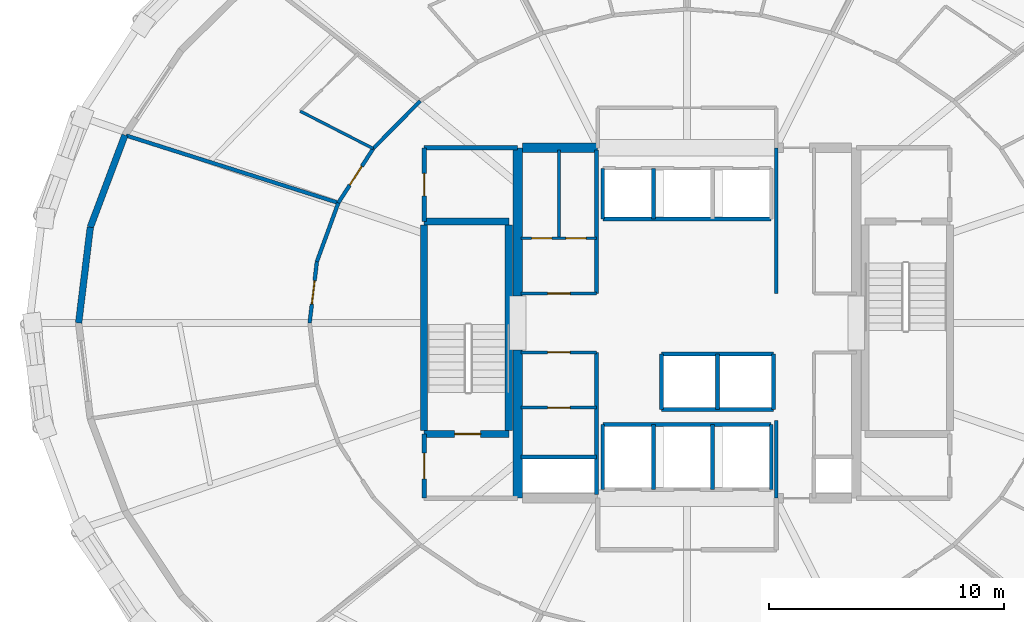
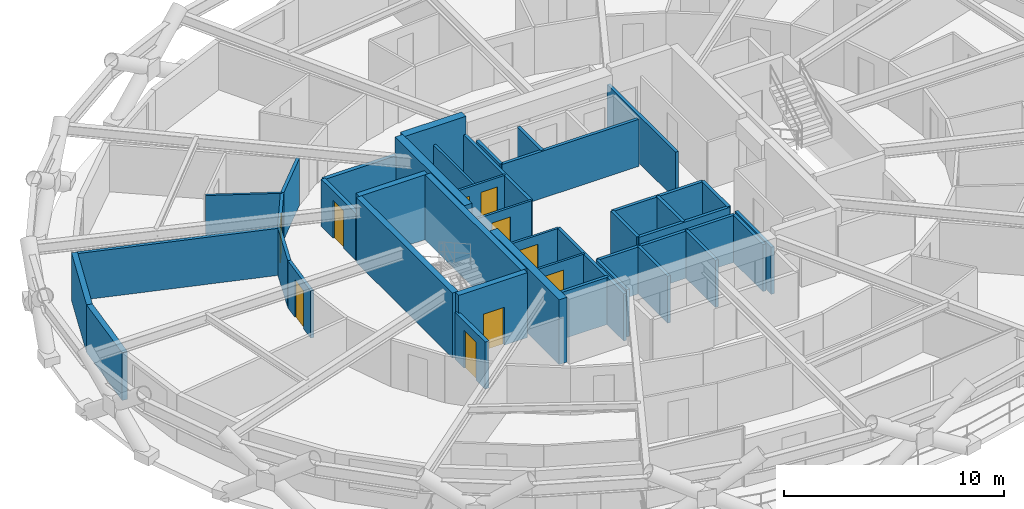
# One storey, part 8 of 13: 41 walls, 10 doors, 10 openings.
"""IFC4 building model written with IfcOpenShell, lengths in metres."""

from ifc_helpers import new_model, si_unit, direction, frame, frame_2d, origin, place, context, subcontext, project, spatial, rectangle, extrude, material, layer, layer_set, type_object, element, fill, save


model = new_model("IFC4")

# Units and contexts
model_context = context("Model", 3, precision=1e-05, world=origin(), true_north=direction((0.0, 1.0)))
body_context = subcontext(model_context, "Body", "Model", "MODEL_VIEW")
ifc_project = project(units=[si_unit("LENGTHUNIT", "METRE"), si_unit("AREAUNIT", "SQUARE_METRE"), si_unit("VOLUMEUNIT", "CUBIC_METRE"), si_unit("PLANEANGLEUNIT", "RADIAN"), si_unit("MASSUNIT", "GRAM", prefix="KILO")], contexts=[model_context])

# Site, building, storey
site_placement = place(None, origin())
site = spatial("IfcSite", under=ifc_project, at=site_placement, CompositionType="ELEMENT")
building_placement = place(site_placement, origin())
building = spatial("IfcBuilding", under=site, at=building_placement, Name="Veldorina Hangang Commons", CompositionType="ELEMENT")
storey_placement = place(building_placement, frame((0.0, 0.0, 37.60009765625)))
storey = spatial("IfcBuildingStorey", under=building, at=storey_placement, Name="L08", CompositionType="ELEMENT", Elevation=37.60009765625)

# Walls
ifc_material_1 = material(Name="Concrete C70/85", Category="concrete")
ifc_layer_1 = layer(ifc_material_1, 0.39990234375)
ifc_layer_set_1 = layer_set([ifc_layer_1], Name="Concrete C70/85")
wall_type_1 = type_object("IfcWallType", Name="CW-RC400-C70", PredefinedType="SHEAR", material=ifc_layer_set_1)
for number, where, z_axis, x_axis, name in (
    (1, (24.800048828125, 16.550048828125, 0.0), (0.0, 0.0, 1.0), (0.0, 1.0, 0.0), "L08 W south core shear wall"),
    (2, (24.800048828125, 25.14990234375, 0.0), (0.0, 0.0, 1.0), (0.0, 1.0, 0.0), "L08 W north core shear wall"),
):
    element("IfcWall", number, at=place(storey_placement, frame(where, z_axis=z_axis, x_axis=x_axis)), inside=storey, type_object=wall_type_1, Name=name, PredefinedType="SHEAR", context=body_context, shape_type="SweptSolid", body=[
        extrude(rectangle(XDim=6.300048828125, YDim=0.39990234375, at=frame_2d((3.14990234375, 0.0))), origin(), (0.0, 0.0, 1.0), 3.599853515625),
    ])
wall_1_placement = place(storey_placement, frame((25.0, 31.449951171875, 0.0), z_axis=(0.0, 0.0, 1.0), x_axis=(1.0, 0.0, 0.0)))
element("IfcWall", 3, at=wall_1_placement, inside=storey, type_object=wall_type_1, Name="L08 north-west core shear wall", PredefinedType="SHEAR", context=body_context, shape_type="SweptSolid", body=[
    extrude(rectangle(XDim=3.199951171875, YDim=0.39990234375, at=frame_2d((1.60009765625, 0.0))), origin(), (0.0, 0.0, 1.0), 3.599853515625),
])
ifc_material_2 = material(Name="Stone Roman Travertine", Category="masonry")
ifc_layer_2 = layer(ifc_material_2, 0.280029296875)
ifc_layer_set_2 = layer_set([ifc_layer_2], Name="Stone Roman Travertine")
wall_type_2 = type_object("IfcWallType", Name="EW-TRAV-280", PredefinedType="STANDARD", material=ifc_layer_set_2)
wall_2_placement = place(storey_placement, frame((8.095703125, 31.988037109375, 0.0), z_axis=(0.0, 0.0, 1.0), x_axis=(-0.351961107614, -0.936014625274, 0.0)))
element("IfcWall", 4, at=wall_2_placement, inside=storey, type_object=wall_type_2, Name="L08 travertine facade wall 14", PredefinedType="STANDARD", context=body_context, shape_type="SweptSolid", body=[
    extrude(rectangle(XDim=4.183349609375, YDim=0.280029296875, at=frame_2d((2.091796875, 0.0))), origin(), (0.0, 0.0, 1.0), 2.64990234375),
])
wall_3_placement = place(storey_placement, frame((6.623291015625, 28.072265625, 0.0), z_axis=(0.0, 0.0, 1.0), x_axis=(-0.121163069923, -0.99263261607, 0.0)))
element("IfcWall", 5, at=wall_3_placement, inside=storey, type_object=wall_type_2, Name="L08 travertine facade wall 15", PredefinedType="STANDARD", context=body_context, shape_type="SweptSolid", body=[
    extrude(rectangle(XDim=4.1025390625, YDim=0.280029296875, at=frame_2d((2.05126953125, 0.0))), origin(), (0.0, 0.0, 1.0), 2.64990234375),
])
ifc_material_3 = material(Name="Concrete C50/60", Category="concrete")
ifc_layer_3 = layer(ifc_material_3, 0.300048828125)
ifc_layer_set_3 = layer_set([ifc_layer_3], Name="Concrete C50/60")
wall_type_3 = type_object("IfcWallType", Name="SW-STAIR-300", PredefinedType="SHEAR", material=ifc_layer_set_3)
for number, where, z_axis, x_axis, name in (
    (6, (20.820068359375, 19.429931640625, 0.0), (0.0, 0.0, 1.0), (0.0, 1.0, 0.0), "L08 ST1 outer stair shear wall"),
    (7, (24.419921875, 19.429931640625, 0.0), (0.0, 0.0, 1.0), (0.0, 1.0, 0.0), "L08 ST1 inner stair shear wall"),
):
    element("IfcWall", number, at=place(storey_placement, frame(where, z_axis=z_axis, x_axis=x_axis)), inside=storey, type_object=wall_type_3, Name=name, PredefinedType="SHEAR", context=body_context, shape_type="SweptSolid", body=[
        extrude(rectangle(XDim=8.739990234375, YDim=0.300048828125, at=frame_2d((4.3701171875, 0.0))), origin(), (0.0, 0.0, 1.0), 3.599853515625),
    ])

# Wall, opening, door
wall_4_placement = place(storey_placement, frame((20.820068359375, 19.280029296875, 0.0), z_axis=(0.0, 0.0, 1.0), x_axis=(1.0, 0.0, 0.0)))
wall_4 = element("IfcWall", 8, at=wall_4_placement, inside=storey, type_object=wall_type_3, Name="L08 ST1 south stair shear wall", PredefinedType="SHEAR", context=body_context, shape_type="SweptSolid", body=[
    extrude(rectangle(XDim=3.599853515625, YDim=0.300048828125, at=frame_2d((1.7998046875, 0.0))), origin(), (0.0, 0.0, 1.0), 3.599853515625),
])
opening_1_placement = place(wall_4_placement, frame((1.300048828125, 0.0, 0.0)))
opening_1 = element("IfcOpeningElement", 9, at=opening_1_placement, cuts=wall_4, Name="Opening D-08", PredefinedType="OPENING", context=body_context, shape_type="SweptSolid", body=[
    extrude(rectangle(XDim=1.10009765625, YDim=2.10009765625, at=frame_2d((0.550048828125, 1.050048828125))), frame((0.0, 0.16015625, 0.0), z_axis=(0.0, -1.0, 0.0), x_axis=(1.0, 0.0, 0.0)), (0.0, 0.0, 1.0), 0.320068359375),
])
ifc_material_4 = material(Name="Steel Fire-Rated Smoke Seal", Category="steel")
door_type_1 = type_object("IfcDoorType", Name="DR-FIRE-1100", OperationType="SINGLE_SWING_RIGHT", PredefinedType="DOOR", material=ifc_material_4)
door_1_placement = place(opening_1_placement, origin())
door_1 = element("IfcDoor", 10, at=door_1_placement, inside=storey, type_object=door_type_1, Name="L08 Special Escape Stair ST-1 door", OperationType="SINGLE_SWING_LEFT", OverallHeight=2.10009765625, OverallWidth=1.10009765625, PredefinedType="DOOR", context=body_context, shape_type="SweptSolid", body=[
    extrude(rectangle(XDim=1.10009765625, YDim=2.10009765625, at=frame_2d((0.550048828125, 1.050048828125))), frame((0.0, 0.02490234375, 0.0), z_axis=(0.0, -1.0, 0.0), x_axis=(1.0, 0.0, 0.0)), (0.0, 0.0, 1.0), 0.050048828125),
])
fill(opening_1, door_1)

# Walls
wall_5_placement = place(storey_placement, frame((20.820068359375, 28.320068359375, 0.0), z_axis=(0.0, 0.0, 1.0), x_axis=(1.0, 0.0, 0.0)))
element("IfcWall", 11, at=wall_5_placement, inside=storey, type_object=wall_type_3, Name="L08 ST1 north stair shear wall", PredefinedType="SHEAR", context=body_context, shape_type="SweptSolid", body=[
    extrude(rectangle(XDim=3.599853515625, YDim=0.300048828125, at=frame_2d((1.7998046875, 0.0))), origin(), (0.0, 0.0, 1.0), 3.599853515625),
])
ifc_material_5 = material(Name="Gypsum Fire-Rated Twin Stud Wall", Category="gypsum")
ifc_layer_4 = layer(ifc_material_5, 0.159912109375)
ifc_layer_set_4 = layer_set([ifc_layer_4], Name="Gypsum Fire-Rated Twin Stud Wall")
wall_type_4 = type_object("IfcWallType", Name="WL-FIRE-160", PredefinedType="SOLIDWALL", material=ifc_layer_set_4)
wall_6_placement = place(storey_placement, frame((35.800048828125, 16.550048828125, 0.0), z_axis=(0.0, 0.0, 1.0), x_axis=(0.0, 1.0, 0.0)))
element("IfcWall", 12, at=wall_6_placement, inside=storey, type_object=wall_type_4, Name="L08 Lift passage SW wall 009", PredefinedType="SOLIDWALL", context=body_context, shape_type="SweptSolid", body=[
    extrude(rectangle(XDim=3.300048828125, YDim=0.159912109375, at=frame_2d((1.64990234375, 0.0))), origin(), (0.0, 0.0, 1.0), 2.60986328125),
])
wall_7_placement = place(storey_placement, frame((35.800048828125, 25.25, 0.0), z_axis=(0.0, 0.0, 1.0), x_axis=(0.0, 1.0, 0.0)))
element("IfcWall", 13, at=wall_7_placement, inside=storey, type_object=wall_type_4, Name="L08 Lift passage NW wall 011", PredefinedType="SOLIDWALL", context=body_context, shape_type="SweptSolid", body=[
    extrude(rectangle(XDim=6.199951171875, YDim=0.159912109375, at=frame_2d((3.10009765625, 0.0))), origin(), (0.0, 0.0, 1.0), 2.60986328125),
])
wall_8_placement = place(storey_placement, frame((28.419921875, 28.419921875, 0.0), z_axis=(0.0, 0.0, 1.0), x_axis=(1.0, 0.0, 0.0)))
element("IfcWall", 14, at=wall_8_placement, inside=storey, type_object=wall_type_4, Name="L08 Low-bank rear shaft wall 016", PredefinedType="SOLIDWALL", context=body_context, shape_type="SweptSolid", body=[
    extrude(rectangle(XDim=7.16015625, YDim=0.159912109375, at=frame_2d((3.580078125, 0.0))), origin(), (0.0, 0.0, 1.0), 2.60986328125),
])
for number, where, z_axis, x_axis, name in (
    (15, (28.419921875, 28.419921875, 0.0), (0.0, 0.0, 1.0), (0.0, 1.0, 0.0), "L08 PL-L1 west shaft wall 017"),
    (16, (30.580078125, 28.419921875, 0.0), (0.0, 0.0, 1.0), (0.0, 1.0, 0.0), "L08 PL-L1 east shaft wall 018"),
):
    element("IfcWall", number, at=place(storey_placement, frame(where, z_axis=z_axis, x_axis=x_axis)), inside=storey, type_object=wall_type_4, Name=name, PredefinedType="SOLIDWALL", context=body_context, shape_type="SweptSolid", body=[
        extrude(rectangle(XDim=2.16015625, YDim=0.159912109375, at=frame_2d((1.080078125, 0.0))), origin(), (0.0, 0.0, 1.0), 2.60986328125),
    ])
for number, where, z_axis, x_axis, name in (
    (17, (30.919921875, 22.679931640625, 0.0), (0.0, 0.0, 1.0), (1.0, 0.0, 0.0), "L08 Shuttle-high front shaft wall 021"),
    (18, (30.919921875, 20.320068359375, 0.0), (0.0, 0.0, 1.0), (1.0, 0.0, 0.0), "L08 Shuttle-high rear shaft wall 022"),
):
    element("IfcWall", number, at=place(storey_placement, frame(where, z_axis=z_axis, x_axis=x_axis)), inside=storey, type_object=wall_type_4, Name=name, PredefinedType="SOLIDWALL", context=body_context, shape_type="SweptSolid", body=[
        extrude(rectangle(XDim=4.760009765625, YDim=0.159912109375, at=frame_2d((2.3798828125, 0.0))), origin(), (0.0, 0.0, 1.0), 2.60986328125),
    ])
for number, where, z_axis, x_axis, name in (
    (19, (30.919921875, 20.320068359375, 0.0), (0.0, 0.0, 1.0), (0.0, 1.0, 0.0), "L08 SL-1 west shaft wall 023"),
    (20, (33.300048828125, 20.320068359375, 0.0), (0.0, 0.0, 1.0), (0.0, 1.0, 0.0), "L08 SL-1 east shaft wall 024"),
    (21, (35.679931640625, 20.320068359375, 0.0), (0.0, 0.0, 1.0), (0.0, 1.0, 0.0), "L08 SL-2 east shaft wall 025"),
):
    element("IfcWall", number, at=place(storey_placement, frame(where, z_axis=z_axis, x_axis=x_axis)), inside=storey, type_object=wall_type_4, Name=name, PredefinedType="SOLIDWALL", context=body_context, shape_type="SweptSolid", body=[
        extrude(rectangle(XDim=2.35986328125, YDim=0.159912109375, at=frame_2d((1.179931640625, 0.0))), origin(), (0.0, 0.0, 1.0), 2.60986328125),
    ])
wall_9_placement = place(storey_placement, frame((28.419921875, 19.679931640625, 0.0), z_axis=(0.0, 0.0, 1.0), x_axis=(1.0, 0.0, 0.0)))
element("IfcWall", 22, at=wall_9_placement, inside=storey, type_object=wall_type_4, Name="L08 Emergency rear shaft wall 027", PredefinedType="SOLIDWALL", context=body_context, shape_type="SweptSolid", body=[
    extrude(rectangle(XDim=7.16015625, YDim=0.159912109375, at=frame_2d((3.580078125, 0.0))), origin(), (0.0, 0.0, 1.0), 2.60986328125),
])
for number, where, z_axis, x_axis, name in (
    (23, (28.419921875, 16.919921875, 0.0), (0.0, 0.0, 1.0), (0.0, 1.0, 0.0), "L08 FFL-1 west shaft wall 028"),
    (24, (30.580078125, 16.919921875, 0.0), (0.0, 0.0, 1.0), (0.0, 1.0, 0.0), "L08 FFL-1 east shaft wall 029"),
    (25, (33.080078125, 16.919921875, 0.0), (0.0, 0.0, 1.0), (0.0, 1.0, 0.0), "L08 FFL-2 east shaft wall 030"),
    (26, (35.580078125, 16.919921875, 0.0), (0.0, 0.0, 1.0), (0.0, 1.0, 0.0), "L08 EVL-1 east shaft wall 031"),
):
    element("IfcWall", number, at=place(storey_placement, frame(where, z_axis=z_axis, x_axis=x_axis)), inside=storey, type_object=wall_type_4, Name=name, PredefinedType="SOLIDWALL", context=body_context, shape_type="SweptSolid", body=[
        extrude(rectangle(XDim=2.760009765625, YDim=0.159912109375, at=frame_2d((1.3798828125, 0.0))), origin(), (0.0, 0.0, 1.0), 2.60986328125),
    ])
wall_10_placement = place(storey_placement, frame((24.949951171875, 18.300048828125, 0.0), z_axis=(0.0, 0.0, 1.0), x_axis=(1.0, 0.0, 0.0)))
element("IfcWall", 27, at=wall_10_placement, inside=storey, type_object=wall_type_4, Name="L08 Electrical riser wall 035", PredefinedType="SOLIDWALL", context=body_context, shape_type="SweptSolid", body=[
    extrude(rectangle(XDim=3.199951171875, YDim=0.159912109375, at=frame_2d((1.60009765625, 0.0))), origin(), (0.0, 0.0, 1.0), 2.60986328125),
])
wall_11_placement = place(storey_placement, frame((28.14990234375, 16.699951171875, 0.0), z_axis=(0.0, 0.0, 1.0), x_axis=(0.0, 1.0, 0.0)))
element("IfcWall", 28, at=wall_11_placement, inside=storey, type_object=wall_type_4, Name="L08 SW core inner wall 036", PredefinedType="SOLIDWALL", context=body_context, shape_type="SweptSolid", body=[
    extrude(rectangle(XDim=6.050048828125, YDim=0.159912109375, at=frame_2d((3.02490234375, 0.0))), origin(), (0.0, 0.0, 1.0), 2.60986328125),
])
wall_12_placement = place(storey_placement, frame((28.14990234375, 25.25, 0.0), z_axis=(0.0, 0.0, 1.0), x_axis=(0.0, 1.0, 0.0)))
element("IfcWall", 29, at=wall_12_placement, inside=storey, type_object=wall_type_4, Name="L08 NW core inner wall 038", PredefinedType="SOLIDWALL", context=body_context, shape_type="SweptSolid", body=[
    extrude(rectangle(XDim=6.10009765625, YDim=0.159912109375, at=frame_2d((3.050048828125, 0.0))), origin(), (0.0, 0.0, 1.0), 2.60986328125),
])
wall_13_placement = place(storey_placement, frame((20.65087890625, 33.43994140625, 0.0), z_axis=(0.0, 0.0, 1.0), x_axis=(-0.702366174226, -0.711815816981, 0.0)))
element("IfcWall", 30, at=wall_13_placement, inside=storey, type_object=wall_type_4, Name="L08 Corridor outer wall 12 060", PredefinedType="SOLIDWALL", context=body_context, shape_type="SweptSolid", body=[
    extrude(rectangle(XDim=2.842041015625, YDim=0.159912109375, at=frame_2d((1.4208984375, 0.0))), origin(), (0.0, 0.0, 1.0), 2.60986328125),
])

# Wall, opening, door
wall_14_placement = place(storey_placement, frame((18.65478515625, 31.4169921875, 0.0), z_axis=(0.0, 0.0, 1.0), x_axis=(-0.540595670038, -0.841282545603, 0.0)))
wall_14 = element("IfcWall", 31, at=wall_14_placement, inside=storey, type_object=wall_type_4, Name="L08 Corridor outer wall 13 061", PredefinedType="SOLIDWALL", context=body_context, shape_type="SweptSolid", body=[
    extrude(rectangle(XDim=2.74365234375, YDim=0.159912109375, at=frame_2d((1.371826171875, 0.0))), origin(), (0.0, 0.0, 1.0), 2.60986328125),
])
opening_2_placement = place(wall_14_placement, frame((0.896728515625, 0.0, 0.0)))
opening_2 = element("IfcOpeningElement", 32, at=opening_2_placement, cuts=wall_14, Name="Opening D-03", PredefinedType="OPENING", context=body_context, shape_type="SweptSolid", body=[
    extrude(rectangle(XDim=0.949951171875, YDim=2.10009765625, at=frame_2d((0.47509765625, 1.050048828125))), frame((0.0, 0.08984375, 0.0), z_axis=(0.0, -1.0, 0.0), x_axis=(1.0, 0.0, 0.0)), (0.0, 0.0, 1.0), 0.179931640625),
])
ifc_material_6 = material(Name="Timber Fire-Rated Entrance Core", Category="wood")
door_type_2 = type_object("IfcDoorType", Name="DR-UNIT-950", OperationType="SINGLE_SWING_RIGHT", PredefinedType="DOOR", material=ifc_material_6)
door_2_placement = place(opening_2_placement, origin())
door_2 = element("IfcDoor", 33, at=door_2_placement, inside=storey, type_object=door_type_2, Name="L08 Studio 11 entrance door 041", OperationType="SINGLE_SWING_LEFT", OverallHeight=2.10009765625, OverallWidth=0.949951171875, PredefinedType="DOOR", context=body_context, shape_type="SweptSolid", body=[
    extrude(rectangle(XDim=0.949951171875, YDim=2.10009765625, at=frame_2d((0.47509765625, 1.050048828125))), frame((0.0, 0.02490234375, 0.0), z_axis=(0.0, -1.0, 0.0), x_axis=(1.0, 0.0, 0.0)), (0.0, 0.0, 1.0), 0.050048828125),
])
fill(opening_2, door_2)

# Wall
wall_15_placement = place(storey_placement, frame((17.171630859375, 29.10888671875, 0.0), z_axis=(0.0, 0.0, 1.0), x_axis=(-0.342617982381, -0.939474809747, 0.0)))
element("IfcWall", 34, at=wall_15_placement, inside=storey, type_object=wall_type_4, Name="L08 Corridor outer wall 14 062", PredefinedType="SOLIDWALL", context=body_context, shape_type="SweptSolid", body=[
    extrude(rectangle(XDim=2.665771484375, YDim=0.159912109375, at=frame_2d((1.3330078125, 0.0))), origin(), (0.0, 0.0, 1.0), 2.60986328125),
])

# Wall, opening, door
wall_16_placement = place(storey_placement, frame((16.25830078125, 26.6044921875, 0.0), z_axis=(0.0, 0.0, 1.0), x_axis=(-0.117570353762, -0.993064555765, 0.0)))
wall_16 = element("IfcWall", 35, at=wall_16_placement, inside=storey, type_object=wall_type_4, Name="L08 Corridor outer wall 15 063", PredefinedType="SOLIDWALL", context=body_context, shape_type="SweptSolid", body=[
    extrude(rectangle(XDim=2.622802734375, YDim=0.159912109375, at=frame_2d((1.3115234375, 0.0))), origin(), (0.0, 0.0, 1.0), 2.60986328125),
])
opening_3_placement = place(wall_16_placement, frame((0.811279296875, 0.0, 0.0)))
opening_3 = element("IfcOpeningElement", 36, at=opening_3_placement, cuts=wall_16, Name="Opening D-05", PredefinedType="OPENING", context=body_context, shape_type="SweptSolid", body=[
    extrude(rectangle(XDim=1.0, YDim=2.10009765625, at=frame_2d((0.5, 1.050048828125))), frame((0.0, 0.08984375, 0.0), z_axis=(0.0, -1.0, 0.0), x_axis=(1.0, 0.0, 0.0)), (0.0, 0.0, 1.0), 0.179931640625),
])
ifc_material_7 = material(Name="Timber Solid Core Acoustic", Category="wood")
door_type_3 = type_object("IfcDoorType", Name="DR-INT-1000", OperationType="SINGLE_SWING_RIGHT", PredefinedType="DOOR", material=ifc_material_7)
door_3_placement = place(opening_3_placement, origin())
door_3 = element("IfcDoor", 37, at=door_3_placement, inside=storey, type_object=door_type_3, Name="L08 Floor Study Room 12 door 042", OperationType="SINGLE_SWING_RIGHT", OverallHeight=2.10009765625, OverallWidth=1.0, PredefinedType="DOOR", context=body_context, shape_type="SweptSolid", body=[
    extrude(rectangle(XDim=1.0, YDim=2.10009765625, at=frame_2d((0.5, 1.050048828125))), frame((0.0, 0.02490234375, 0.0), z_axis=(0.0, -1.0, 0.0), x_axis=(1.0, 0.0, 0.0)), (0.0, 0.0, 1.0), 0.050048828125),
])
fill(opening_3, door_3)

# Wall
wall_17_placement = place(storey_placement, frame((17.171630859375, 29.10888671875, 0.0), z_axis=(0.0, 0.0, 1.0), x_axis=(-0.953188788185, 0.30237581596, 0.0)))
element("IfcWall", 38, at=wall_17_placement, inside=storey, type_object=wall_type_4, Name="L08 Unit party wall 14 115", PredefinedType="SOLIDWALL", context=body_context, shape_type="SweptSolid", body=[
    extrude(rectangle(XDim=9.4716796875, YDim=0.159912109375, at=frame_2d((4.73583984375, 0.0))), origin(), (0.0, 0.0, 1.0), 2.60986328125),
])

# Wall, opening, door
ifc_material_8 = material(Name="Concrete Blockwork Fire Wall C30/37", Category="masonry")
ifc_layer_5 = layer(ifc_material_8, 0.199951171875)
ifc_layer_set_5 = layer_set([ifc_layer_5], Name="Concrete Blockwork Fire Wall C30/37")
wall_type_5 = type_object("IfcWallType", Name="WL-FIRE-200", PredefinedType="SOLIDWALL", material=ifc_layer_set_5)
wall_18_placement = place(storey_placement, frame((20.820068359375, 16.550048828125, 0.0), z_axis=(0.0, 0.0, 1.0), x_axis=(0.0, 1.0, 0.0)))
wall_18 = element("IfcWall", 39, at=wall_18_placement, inside=storey, type_object=wall_type_5, Name="L08 West vestibule outer wall 001", PredefinedType="SOLIDWALL", context=body_context, shape_type="SweptSolid", body=[
    extrude(rectangle(XDim=2.72998046875, YDim=0.199951171875, at=frame_2d((1.364990234375, 0.0))), origin(), (0.0, 0.0, 1.0), 2.60986328125),
])
opening_4_placement = place(wall_18_placement, frame((0.81494140625, 0.0, 0.0)))
opening_4 = element("IfcOpeningElement", 40, at=opening_4_placement, cuts=wall_18, Name="Opening D-08", PredefinedType="OPENING", context=body_context, shape_type="SweptSolid", body=[
    extrude(rectangle(XDim=1.10009765625, YDim=2.10009765625, at=frame_2d((0.550048828125, 1.050048828125))), frame((0.0, 0.10986328125, 0.0), z_axis=(0.0, -1.0, 0.0), x_axis=(1.0, 0.0, 0.0)), (0.0, 0.0, 1.0), 0.219970703125),
])
door_4_placement = place(opening_4_placement, origin())
door_4 = element("IfcDoor", 41, at=door_4_placement, inside=storey, type_object=door_type_1, Name="L08 West vestibule west door 001", OperationType="SINGLE_SWING_LEFT", OverallHeight=2.10009765625, OverallWidth=1.10009765625, PredefinedType="DOOR", context=body_context, shape_type="SweptSolid", body=[
    extrude(rectangle(XDim=1.10009765625, YDim=2.10009765625, at=frame_2d((0.550048828125, 1.050048828125))), frame((0.0, 0.02490234375, 0.0), z_axis=(0.0, -1.0, 0.0), x_axis=(1.0, 0.0, 0.0)), (0.0, 0.0, 1.0), 0.050048828125),
])
fill(opening_4, door_4)

wall_19_placement = place(storey_placement, frame((20.820068359375, 28.320068359375, 0.0), z_axis=(0.0, 0.0, 1.0), x_axis=(0.0, 1.0, 0.0)))
wall_19 = element("IfcWall", 42, at=wall_19_placement, inside=storey, type_object=wall_type_5, Name="L08 NW core room outer wall 005", PredefinedType="SOLIDWALL", context=body_context, shape_type="SweptSolid", body=[
    extrude(rectangle(XDim=3.1298828125, YDim=0.199951171875, at=frame_2d((1.56494140625, 0.0))), origin(), (0.0, 0.0, 1.0), 2.60986328125),
])
opening_5_placement = place(wall_19_placement, frame((1.090087890625, 0.0, 0.0)))
opening_5 = element("IfcOpeningElement", 43, at=opening_5_placement, cuts=wall_19, Name="Opening D-04", PredefinedType="OPENING", context=body_context, shape_type="SweptSolid", body=[
    extrude(rectangle(XDim=0.949951171875, YDim=2.10009765625, at=frame_2d((0.47509765625, 1.050048828125))), frame((0.0, 0.10986328125, 0.0), z_axis=(0.0, -1.0, 0.0), x_axis=(1.0, 0.0, 0.0)), (0.0, 0.0, 1.0), 0.219970703125),
])
ifc_material_9 = material(Name="Timber Accessible Flush Leaf", Category="wood")
door_type_4 = type_object("IfcDoorType", Name="DR-ACC-950", OperationType="SINGLE_SWING_LEFT", PredefinedType="DOOR", material=ifc_material_9)
door_5_placement = place(opening_5_placement, origin())
door_5 = element("IfcDoor", 44, at=door_5_placement, inside=storey, type_object=door_type_4, Name="L08 NW core WC door 003", OperationType="SINGLE_SWING_LEFT", OverallHeight=2.10009765625, OverallWidth=0.949951171875, PredefinedType="DOOR", context=body_context, shape_type="SweptSolid", body=[
    extrude(rectangle(XDim=0.949951171875, YDim=2.10009765625, at=frame_2d((0.47509765625, 1.050048828125))), frame((0.0, 0.02490234375, 0.0), z_axis=(0.0, -1.0, 0.0), x_axis=(1.0, 0.0, 0.0)), (0.0, 0.0, 1.0), 0.050048828125),
])
fill(opening_5, door_5)

# Wall
wall_20_placement = place(storey_placement, frame((20.820068359375, 31.449951171875, 0.0), z_axis=(0.0, 0.0, 1.0), x_axis=(1.0, 0.0, 0.0)))
element("IfcWall", 45, at=wall_20_placement, inside=storey, type_object=wall_type_5, Name="L08 NW core room north wall 006", PredefinedType="SOLIDWALL", context=body_context, shape_type="SweptSolid", body=[
    extrude(rectangle(XDim=3.97998046875, YDim=0.199951171875, at=frame_2d((1.989990234375, 0.0))), origin(), (0.0, 0.0, 1.0), 2.60986328125),
])

# Wall, opening, door
ifc_material_10 = material(Name="Gypsum Acoustic Stud Partition", Category="gypsum")
ifc_layer_6 = layer(ifc_material_10, 0.1201171875)
ifc_layer_set_6 = layer_set([ifc_layer_6], Name="Gypsum Acoustic Stud Partition")
wall_type_6 = type_object("IfcWallType", Name="WL-PART-120", PredefinedType="PARTITIONING", material=ifc_layer_set_6)
wall_21_placement = place(storey_placement, frame((24.949951171875, 25.25, 0.0), z_axis=(0.0, 0.0, 1.0), x_axis=(1.0, 0.0, 0.0)))
wall_21 = element("IfcWall", 46, at=wall_21_placement, inside=storey, type_object=wall_type_6, Name="L08 NW service south wall 039", PredefinedType="PARTITIONING", context=body_context, shape_type="SweptSolid", body=[
    extrude(rectangle(XDim=3.199951171875, YDim=0.1201171875, at=frame_2d((1.60009765625, 0.0))), origin(), (0.0, 0.0, 1.0), 2.60986328125),
])
opening_6_placement = place(wall_21_placement, frame((1.125, 0.0, 0.0)))
opening_6 = element("IfcOpeningElement", 47, at=opening_6_placement, cuts=wall_21, Name="Opening D-02", PredefinedType="OPENING", context=body_context, shape_type="SweptSolid", body=[
    extrude(rectangle(XDim=0.949951171875, YDim=2.10009765625, at=frame_2d((0.47509765625, 1.050048828125))), frame((0.0, 0.070068359375, 0.0), z_axis=(0.0, -1.0, 0.0), x_axis=(1.0, 0.0, 0.0)), (0.0, 0.0, 1.0), 0.14013671875),
])
door_type_5 = type_object("IfcDoorType", Name="DR-INT-950", OperationType="SINGLE_SWING_LEFT", PredefinedType="DOOR", material=ifc_material_7)
door_6_placement = place(opening_6_placement, origin())
door_6 = element("IfcDoor", 48, at=door_6_placement, inside=storey, type_object=door_type_5, Name="L08 Utility vestibule door 013", OperationType="SINGLE_SWING_LEFT", OverallHeight=2.10009765625, OverallWidth=0.949951171875, PredefinedType="DOOR", context=body_context, shape_type="SweptSolid", body=[
    extrude(rectangle(XDim=0.949951171875, YDim=2.10009765625, at=frame_2d((0.47509765625, 1.050048828125))), frame((0.0, 0.02490234375, 0.0), z_axis=(0.0, -1.0, 0.0), x_axis=(1.0, 0.0, 0.0)), (0.0, 0.0, 1.0), 0.050048828125),
])
fill(opening_6, door_6)

wall_22_placement = place(storey_placement, frame((24.949951171875, 22.75, 0.0), z_axis=(0.0, 0.0, 1.0), x_axis=(1.0, 0.0, 0.0)))
wall_22 = element("IfcWall", 49, at=wall_22_placement, inside=storey, type_object=wall_type_6, Name="L08 SW service north wall 040", PredefinedType="PARTITIONING", context=body_context, shape_type="SweptSolid", body=[
    extrude(rectangle(XDim=3.199951171875, YDim=0.1201171875, at=frame_2d((1.60009765625, 0.0))), origin(), (0.0, 0.0, 1.0), 2.60986328125),
])
opening_7_placement = place(wall_22_placement, frame((1.125, 0.0, 0.0)))
opening_7 = element("IfcOpeningElement", 50, at=opening_7_placement, cuts=wall_22, Name="Opening D-02", PredefinedType="OPENING", context=body_context, shape_type="SweptSolid", body=[
    extrude(rectangle(XDim=0.949951171875, YDim=2.10009765625, at=frame_2d((0.47509765625, 1.050048828125))), frame((0.0, 0.070068359375, 0.0), z_axis=(0.0, -1.0, 0.0), x_axis=(1.0, 0.0, 0.0)), (0.0, 0.0, 1.0), 0.14013671875),
])
door_7_placement = place(opening_7_placement, origin())
door_7 = element("IfcDoor", 51, at=door_7_placement, inside=storey, type_object=door_type_5, Name="L08 Recycling room door 016", OperationType="SINGLE_SWING_RIGHT", OverallHeight=2.10009765625, OverallWidth=0.949951171875, PredefinedType="DOOR", context=body_context, shape_type="SweptSolid", body=[
    extrude(rectangle(XDim=0.949951171875, YDim=2.10009765625, at=frame_2d((0.47509765625, 1.050048828125))), frame((0.0, 0.02490234375, 0.0), z_axis=(0.0, -1.0, 0.0), x_axis=(1.0, 0.0, 0.0)), (0.0, 0.0, 1.0), 0.050048828125),
])
fill(opening_7, door_7)

# Wall, openings, doors
wall_23_placement = place(storey_placement, frame((24.949951171875, 27.60009765625, 0.0), z_axis=(0.0, 0.0, 1.0), x_axis=(1.0, 0.0, 0.0)))
wall_23 = element("IfcWall", 52, at=wall_23_placement, inside=storey, type_object=wall_type_6, Name="L08 NW lower split 045", PredefinedType="PARTITIONING", context=body_context, shape_type="SweptSolid", body=[
    extrude(rectangle(XDim=3.199951171875, YDim=0.1201171875, at=frame_2d((1.60009765625, 0.0))), origin(), (0.0, 0.0, 1.0), 2.60986328125),
])
opening_8_placement = place(wall_23_placement, frame((0.43994140625, 0.0, 0.0)))
opening_8 = element("IfcOpeningElement", 53, at=opening_8_placement, cuts=wall_23, Name="Opening D-01", PredefinedType="OPENING", context=body_context, shape_type="SweptSolid", body=[
    extrude(rectangle(XDim=0.860107421875, YDim=2.10009765625, at=frame_2d((0.43017578125, 1.050048828125))), frame((0.0, 0.070068359375, 0.0), z_axis=(0.0, -1.0, 0.0), x_axis=(1.0, 0.0, 0.0)), (0.0, 0.0, 1.0), 0.14013671875),
])
opening_9_placement = place(wall_23_placement, frame((1.89990234375, 0.0, 0.0)))
opening_9 = element("IfcOpeningElement", 54, at=opening_9_placement, cuts=wall_23, Name="Opening D-01", PredefinedType="OPENING", context=body_context, shape_type="SweptSolid", body=[
    extrude(rectangle(XDim=0.860107421875, YDim=2.10009765625, at=frame_2d((0.43017578125, 1.050048828125))), frame((0.0, 0.070068359375, 0.0), z_axis=(0.0, -1.0, 0.0), x_axis=(1.0, 0.0, 0.0)), (0.0, 0.0, 1.0), 0.14013671875),
])
ifc_material_11 = material(Name="Timber Moisture-Resistant Core", Category="wood")
door_type_6 = type_object("IfcDoorType", Name="DR-WET-860", OperationType="SINGLE_SWING_LEFT", PredefinedType="DOOR", material=ifc_material_11)
door_8_placement = place(opening_8_placement, origin())
door_8 = element("IfcDoor", 55, at=door_8_placement, inside=storey, type_object=door_type_6, Name="L08 Store A door 014", OperationType="SINGLE_SWING_RIGHT", OverallHeight=2.10009765625, OverallWidth=0.860107421875, PredefinedType="DOOR", context=body_context, shape_type="SweptSolid", body=[
    extrude(rectangle(XDim=0.860107421875, YDim=2.10009765625, at=frame_2d((0.43017578125, 1.050048828125))), frame((0.0, 0.02490234375, 0.0), z_axis=(0.0, -1.0, 0.0), x_axis=(1.0, 0.0, 0.0)), (0.0, 0.0, 1.0), 0.050048828125),
])
fill(opening_8, door_8)
door_9_placement = place(opening_9_placement, origin())
door_9 = element("IfcDoor", 56, at=door_9_placement, inside=storey, type_object=door_type_6, Name="L08 Store B door 015", OperationType="SINGLE_SWING_LEFT", OverallHeight=2.10009765625, OverallWidth=0.860107421875, PredefinedType="DOOR", context=body_context, shape_type="SweptSolid", body=[
    extrude(rectangle(XDim=0.860107421875, YDim=2.10009765625, at=frame_2d((0.43017578125, 1.050048828125))), frame((0.0, 0.02490234375, 0.0), z_axis=(0.0, -1.0, 0.0), x_axis=(1.0, 0.0, 0.0)), (0.0, 0.0, 1.0), 0.050048828125),
])
fill(opening_9, door_9)

# Wall
wall_24_placement = place(storey_placement, frame((26.550048828125, 27.60009765625, 0.0), z_axis=(0.0, 0.0, 1.0), x_axis=(0.0, 1.0, 0.0)))
element("IfcWall", 57, at=wall_24_placement, inside=storey, type_object=wall_type_6, Name="L08 NW upper vertical split 046", PredefinedType="PARTITIONING", context=body_context, shape_type="SweptSolid", body=[
    extrude(rectangle(XDim=3.75, YDim=0.1201171875, at=frame_2d((1.875, 0.0))), origin(), (0.0, 0.0, 1.0), 2.60986328125),
])

# Wall, opening, door
wall_25_placement = place(storey_placement, frame((24.949951171875, 20.39990234375, 0.0), z_axis=(0.0, 0.0, 1.0), x_axis=(1.0, 0.0, 0.0)))
wall_25 = element("IfcWall", 58, at=wall_25_placement, inside=storey, type_object=wall_type_6, Name="L08 SW horizontal split 047", PredefinedType="PARTITIONING", context=body_context, shape_type="SweptSolid", body=[
    extrude(rectangle(XDim=3.199951171875, YDim=0.1201171875, at=frame_2d((1.60009765625, 0.0))), origin(), (0.0, 0.0, 1.0), 2.60986328125),
])
opening_10_placement = place(wall_25_placement, frame((1.125, 0.0, 0.0)))
opening_10 = element("IfcOpeningElement", 59, at=opening_10_placement, cuts=wall_25, Name="Opening D-02", PredefinedType="OPENING", context=body_context, shape_type="SweptSolid", body=[
    extrude(rectangle(XDim=0.949951171875, YDim=2.10009765625, at=frame_2d((0.47509765625, 1.050048828125))), frame((0.0, 0.070068359375, 0.0), z_axis=(0.0, -1.0, 0.0), x_axis=(1.0, 0.0, 0.0)), (0.0, 0.0, 1.0), 0.14013671875),
])
door_10_placement = place(opening_10_placement, origin())
door_10 = element("IfcDoor", 60, at=door_10_placement, inside=storey, type_object=door_type_5, Name="L08 Archive closet door 017", OperationType="SINGLE_SWING_LEFT", OverallHeight=2.10009765625, OverallWidth=0.949951171875, PredefinedType="DOOR", context=body_context, shape_type="SweptSolid", body=[
    extrude(rectangle(XDim=0.949951171875, YDim=2.10009765625, at=frame_2d((0.47509765625, 1.050048828125))), frame((0.0, 0.02490234375, 0.0), z_axis=(0.0, -1.0, 0.0), x_axis=(1.0, 0.0, 0.0)), (0.0, 0.0, 1.0), 0.050048828125),
])
fill(opening_10, door_10)

# Wall
wall_26_placement = place(storey_placement, frame((18.65478515625, 31.4169921875, 0.0), z_axis=(0.0, 0.0, 1.0), x_axis=(-0.890200615817, 0.455568725439, 0.0)))
element("IfcWall", 61, at=wall_26_placement, inside=storey, type_object=wall_type_6, Name="L08 Studio 11 bath side wall 114", PredefinedType="PARTITIONING", context=body_context, shape_type="SweptSolid", body=[
    extrude(rectangle(XDim=3.486572265625, YDim=0.1201171875, at=frame_2d((1.7431640625, 0.0))), origin(), (0.0, 0.0, 1.0), 2.60986328125),
])

save(model, "model.ifc")
